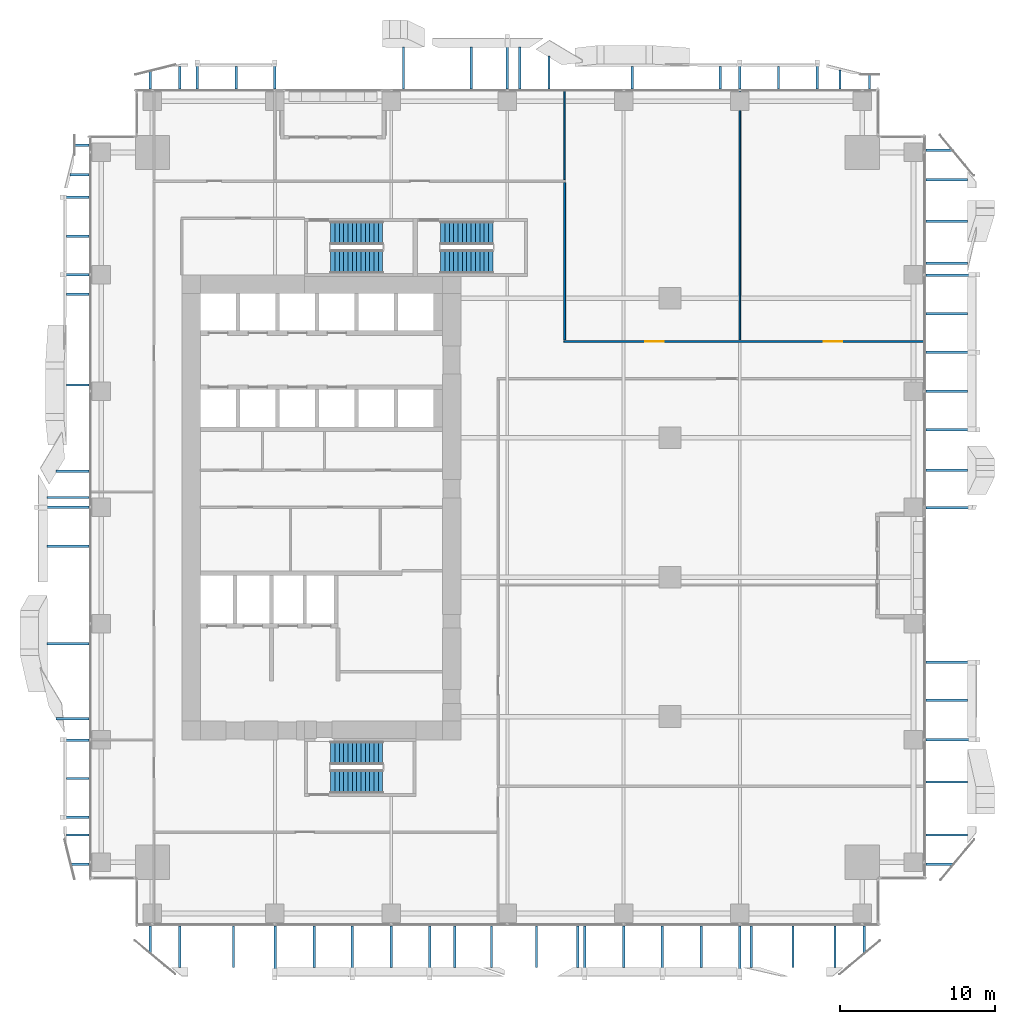
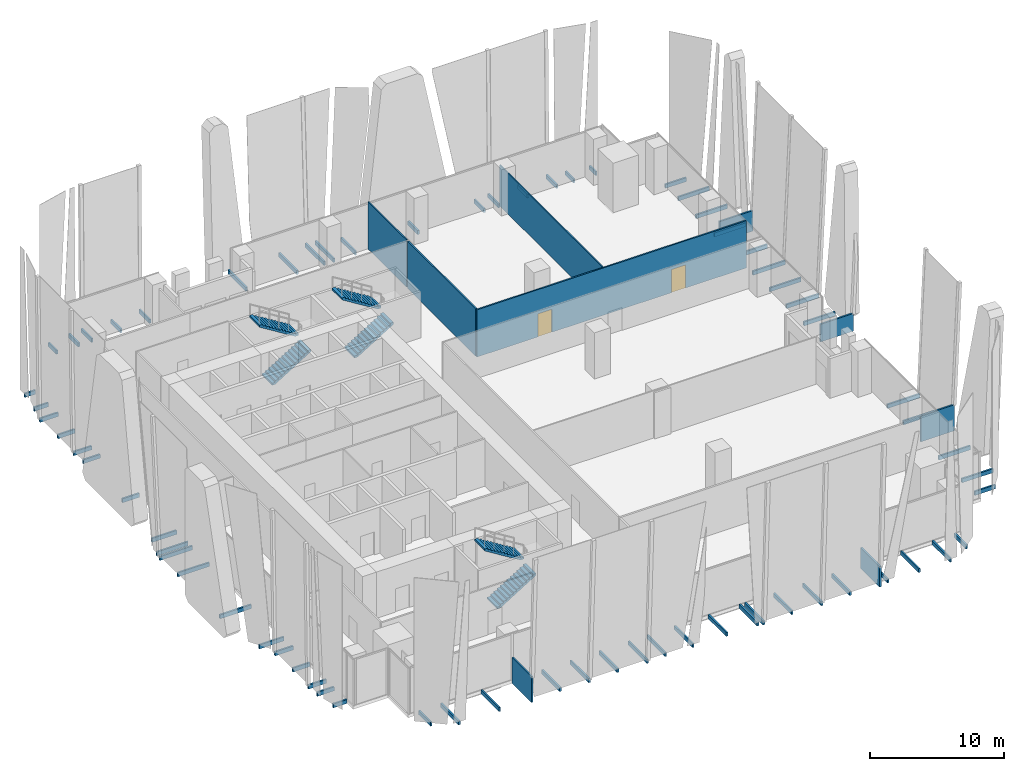
# One storey, part 29 of 34: 73 discrete accessories, 6 stair flights, 4 walls, 2 doors, 2 openings, 3 elements without a shape of their own.
"""IFC4 building model written with IfcOpenShell, lengths in metres."""

from ifc_helpers import new_model, si_unit, direction, frame, frame_2d, origin, origin_2d, place, context, subcontext, project, spatial, polyline, rectangle, outline, extrude, source, transform, mapped, material, layer, layer_set, type_object, element, fill, aggregate, save


model = new_model("IFC4")

# Units and contexts
model_context = context("Model", 3, precision=1e-05, world=origin(), true_north=direction((0.0, 1.0)))
body_context = subcontext(model_context, "Body", "Model", "MODEL_VIEW")
ifc_project = project(units=[si_unit("LENGTHUNIT", "METRE"), si_unit("AREAUNIT", "SQUARE_METRE"), si_unit("VOLUMEUNIT", "CUBIC_METRE"), si_unit("PLANEANGLEUNIT", "RADIAN"), si_unit("MASSUNIT", "GRAM", prefix="KILO")], contexts=[model_context])

# Site, building, storey
site_placement = place(None, origin())
site = spatial("IfcSite", under=ifc_project, at=site_placement, CompositionType="ELEMENT")
building_placement = place(site_placement, origin())
building = spatial("IfcBuilding", under=site, at=building_placement, Name="Khomas Fold Tower", CompositionType="ELEMENT")
storey_placement = place(building_placement, frame((0.0, 0.0, 73.5)))
storey = spatial("IfcBuildingStorey", under=building, at=storey_placement, Name="L15", CompositionType="ELEMENT", Elevation=73.5)

# Wall, openings, doors
ifc_material_1 = material(Name="Plasterboard partition")
ifc_layer_1 = layer(ifc_material_1, 0.125)
ifc_layer_set_1 = layer_set([ifc_layer_1], Name="Plasterboard partition")
wall_type_1 = type_object("IfcWallType", Name="Partition PW2 125", PredefinedType="PARTITIONING", material=ifc_layer_set_1)
shared_shape_1 = source(origin(), body_context, "Body", "SweptSolid", [
    extrude(rectangle(XDim=23.2001953125, YDim=0.125, at=frame_2d((11.60009765625, 0.0))), origin(), (0.0, 0.0, 1.0), 4.300048828125),
])
wall_1_placement = place(storey_placement, frame((30.64990234375, 37.699951171875, 0.0), z_axis=(0.0, 0.0, 1.0), x_axis=(1.0, 0.0, 0.0)))
wall_1 = element("IfcWall", 1, at=wall_1_placement, inside=storey, type_object=wall_type_1, Name="Partition", PredefinedType="PARTITIONING", context=body_context, shape_type="MappedRepresentation", body=[
    mapped(shared_shape_1, transform((0.0, 0.0, 0.0))),
])
shared_shape_2 = source(origin(), body_context, "Body", "SweptSolid", [
    extrude(rectangle(XDim=1.199951171875, YDim=2.10009765625, at=frame_2d((0.60009765625, 1.050048828125))), frame((0.0, 0.072509765625, 0.0), z_axis=(0.0, -1.0, 0.0), x_axis=(1.0, 0.0, 0.0)), (0.0, 0.0, 1.0), 0.14501953125),
])
opening_1_placement = place(wall_1_placement, frame((5.25, 0.0, 0.0)))
opening_1 = element("IfcOpeningElement", 2, at=opening_1_placement, cuts=wall_1, Name="Opening 0013", PredefinedType="OPENING", context=body_context, shape_type="MappedRepresentation", body=[
    mapped(shared_shape_2, transform((0.0, 0.0, 0.0))),
])
opening_2_placement = place(wall_1_placement, frame((16.75, 0.0, 0.0)))
opening_2 = element("IfcOpeningElement", 3, at=opening_2_placement, cuts=wall_1, Name="Opening 0001", PredefinedType="OPENING", context=body_context, shape_type="MappedRepresentation", body=[
    mapped(shared_shape_2, transform((0.0, 0.0, 0.0))),
])
ifc_material_2 = material(Name="Timber door leaf", Category="wood")
door_type_1 = type_object("IfcDoorType", Name="Door 1200x2100 left-hand", OperationType="SINGLE_SWING_LEFT", PredefinedType="DOOR", material=ifc_material_2)
shared_shape_3 = source(origin(), body_context, "Body", "SweptSolid", [
    extrude(rectangle(XDim=1.199951171875, YDim=2.10009765625, at=frame_2d((0.60009765625, 1.050048828125))), frame((0.0, 0.02490234375, 0.0), z_axis=(0.0, -1.0, 0.0), x_axis=(1.0, 0.0, 0.0)), (0.0, 0.0, 1.0), 0.050048828125),
])
door_1_placement = place(opening_1_placement, origin())
door_1 = element("IfcDoor", 4, at=door_1_placement, inside=storey, type_object=door_type_1, Name="Door", OperationType="SINGLE_SWING_LEFT", OverallHeight=2.10009765625, OverallWidth=1.199951171875, PredefinedType="DOOR", context=body_context, shape_type="MappedRepresentation", body=[
    mapped(shared_shape_3, transform((0.0, 0.0, 0.0))),
])
fill(opening_1, door_1)
ifc_material_3 = material(Name="Timber door leaf", Category="wood")
door_type_2 = type_object("IfcDoorType", Name="Door 1200x2100 right-hand", OperationType="SINGLE_SWING_RIGHT", PredefinedType="DOOR", material=ifc_material_3)
door_2_placement = place(opening_2_placement, origin())
door_2 = element("IfcDoor", 5, at=door_2_placement, inside=storey, type_object=door_type_2, Name="Door", OperationType="SINGLE_SWING_RIGHT", OverallHeight=2.10009765625, OverallWidth=1.199951171875, PredefinedType="DOOR", context=body_context, shape_type="MappedRepresentation", body=[
    mapped(shared_shape_3, transform((0.0, 0.0, 0.0))),
])
fill(opening_2, door_2)

# Walls
shared_shape_4 = source(origin(), body_context, "Body", "SweptSolid", [
    extrude(rectangle(XDim=10.14990234375, YDim=0.125, at=frame_2d((5.074951171875, 0.0))), origin(), (0.0, 0.0, 1.0), 4.300048828125),
])
wall_2_placement = place(storey_placement, frame((30.699951171875, 37.800048828125, 0.0), z_axis=(0.0, 0.0, 1.0), x_axis=(0.0, 1.0, 0.0)))
element("IfcWall", 6, at=wall_2_placement, inside=storey, type_object=wall_type_1, Name="Partition", PredefinedType="PARTITIONING", context=body_context, shape_type="MappedRepresentation", body=[
    mapped(shared_shape_4, transform((0.0, 0.0, 0.0))),
])
ifc_material_4 = material(Name="Plasterboard partition")
ifc_layer_2 = layer(ifc_material_4, 0.10009765625)
ifc_layer_set_2 = layer_set([ifc_layer_2], Name="Plasterboard partition")
wall_type_2 = type_object("IfcWallType", Name="Partition PW1 100", PredefinedType="PARTITIONING", material=ifc_layer_set_2)
shared_shape_5 = source(origin(), body_context, "Body", "SweptSolid", [
    extrude(rectangle(XDim=16.050048828125, YDim=0.10009765625, at=frame_2d((8.02490234375, 0.0))), origin(), (0.0, 0.0, 1.0), 3.699951171875),
])
wall_3_placement = place(storey_placement, frame((42.0, 37.800048828125, 0.0), z_axis=(0.0, 0.0, 1.0), x_axis=(0.0, 1.0, 0.0)))
element("IfcWall", 7, at=wall_3_placement, inside=storey, type_object=wall_type_2, Name="Partition", PredefinedType="PARTITIONING", context=body_context, shape_type="MappedRepresentation", body=[
    mapped(shared_shape_5, transform((0.0, 0.0, 0.0))),
])
shared_shape_6 = source(origin(), body_context, "Body", "SweptSolid", [
    extrude(rectangle(XDim=5.7001953125, YDim=0.10009765625, at=frame_2d((2.85009765625, 0.0))), origin(), (0.0, 0.0, 1.0), 4.300048828125),
])
wall_4_placement = place(storey_placement, frame((30.699951171875, 48.14990234375, 0.0), z_axis=(0.0, 0.0, 1.0), x_axis=(0.0, 1.0, 0.0)))
element("IfcWall", 8, at=wall_4_placement, inside=storey, type_object=wall_type_2, Name="Partition", PredefinedType="PARTITIONING", context=body_context, shape_type="MappedRepresentation", body=[
    mapped(shared_shape_6, transform((0.0, 0.0, 0.0))),
])

# Stair, stair flights
ifc_material_5 = material(Name="Concrete C40/50", Category="concrete")
stair_type_1 = type_object("IfcStairType", Name="Stair ST1", PredefinedType="HALF_TURN_STAIR", material=ifc_material_5)
stair_1_placement = place(storey_placement, origin())
stair_1 = element("IfcStair", 9, at=stair_1_placement, inside=storey, type_object=stair_type_1, Name="L15 ST1", PredefinedType="HALF_TURN_STAIR")
ifc_material_6 = material(Name="Concrete C40/50", Category="concrete")
stair_flight_type_1 = type_object("IfcStairFlightType", Name="Stair flight 1500 ST1", PredefinedType="STRAIGHT", material=ifc_material_6)
shared_shape_7 = source(origin(), body_context, "Body", "SweptSolid", [
    extrude(outline(polyline([(0.0, 0.0), (0.0, 0.013427734375), (0.0, 0.026611328125), (0.0, 0.0400390625), (0.0, 0.05322265625), (0.0, 0.066650390625), (0.0, 0.079833984375), (0.0, 0.09326171875), (0.0, 0.1064453125), (0.0, 0.119873046875), (0.0, 0.133056640625), (0.0, 0.146484375), (0.0, 0.15966796875), (0.0, 0.173095703125), (0.280029296875, 0.173095703125), (0.280029296875, 0.34619140625), (0.56005859375, 0.34619140625), (0.56005859375, 0.519287109375), (0.840087890625, 0.519287109375), (0.840087890625, 0.6923828125), (1.1201171875, 0.6923828125), (1.1201171875, 0.865478515625), (1.39990234375, 0.865478515625), (1.39990234375, 1.03857421875), (1.679931640625, 1.03857421875), (1.679931640625, 1.21142578125), (1.9599609375, 1.21142578125), (1.9599609375, 1.384521484375), (2.239990234375, 1.384521484375), (2.239990234375, 1.5576171875), (2.52001953125, 1.5576171875), (2.52001953125, 1.730712890625), (2.800048828125, 1.730712890625), (2.800048828125, 1.90380859375), (3.080078125, 1.90380859375), (3.080078125, 2.076904296875), (3.360107421875, 2.076904296875), (3.360107421875, 2.25), (3.360107421875, 2.22314453125), (3.360107421875, 2.1962890625), (3.360107421875, 2.16943359375), (3.360107421875, 2.142578125), (3.360107421875, 2.11572265625), (3.360107421875, 2.0888671875), (3.360107421875, 2.06201171875), (3.360107421875, 2.03515625), (3.360107421875, 2.008056640625), (3.360107421875, 1.981201171875), (3.360107421875, 1.954345703125), (3.360107421875, 1.927490234375), (3.360107421875, 1.900634765625), (0.28515625, 0.0), (0.0, 0.0)])), frame((0.0, 0.75, 0.0), z_axis=(0.0, -1.0, 0.0), x_axis=(1.0, 0.0, 0.0)), (0.0, 0.0, 1.0), 1.5),
])
stair_flight_1_placement = place(storey_placement, frame((15.60009765625, 42.85009765625, 0.0), z_axis=(0.0, 0.0, 1.0), x_axis=(1.0, 0.0, 0.0)))
stair_flight_1 = element("IfcStairFlight", 10, at=stair_flight_1_placement, type_object=stair_flight_type_1, Name="ST1 flight 1", NumberOfRisers=13, NumberOfTreads=12, PredefinedType="STRAIGHT", RiserHeight=0.173076923, TreadLength=0.28, context=body_context, shape_type="MappedRepresentation", body=[
    mapped(shared_shape_7, transform((0.0, 0.0, 0.0))),
])
stair_flight_2_placement = place(storey_placement, frame((18.9599609375, 44.699951171875, 2.25), z_axis=(0.0, 0.0, 1.0), x_axis=(-1.0, 0.0, 0.0)))
stair_flight_2 = element("IfcStairFlight", 11, at=stair_flight_2_placement, type_object=stair_flight_type_1, Name="ST1 flight 2", NumberOfRisers=13, NumberOfTreads=12, PredefinedType="STRAIGHT", RiserHeight=0.173076923, TreadLength=0.28, context=body_context, shape_type="MappedRepresentation", body=[
    mapped(shared_shape_7, transform((0.0, 0.0, 0.0))),
])
aggregate(stair_1, [stair_flight_1, stair_flight_2])

ifc_material_7 = material(Name="Concrete C40/50", Category="concrete")
stair_type_2 = type_object("IfcStairType", Name="Stair ST2", PredefinedType="HALF_TURN_STAIR", material=ifc_material_7)
stair_2_placement = place(storey_placement, origin())
stair_2 = element("IfcStair", 12, at=stair_2_placement, inside=storey, type_object=stair_type_2, Name="L15 ST2", PredefinedType="HALF_TURN_STAIR")
ifc_material_8 = material(Name="Concrete C40/50", Category="concrete")
stair_flight_type_2 = type_object("IfcStairFlightType", Name="Stair flight 1500 ST2", PredefinedType="STRAIGHT", material=ifc_material_8)
stair_flight_3_placement = place(storey_placement, frame((15.60009765625, 9.300048828125, 0.0), z_axis=(0.0, 0.0, 1.0), x_axis=(1.0, 0.0, 0.0)))
stair_flight_3 = element("IfcStairFlight", 13, at=stair_flight_3_placement, type_object=stair_flight_type_2, Name="ST2 flight 1", NumberOfRisers=13, NumberOfTreads=12, PredefinedType="STRAIGHT", RiserHeight=0.173076923, TreadLength=0.28, context=body_context, shape_type="MappedRepresentation", body=[
    mapped(shared_shape_7, transform((0.0, 0.0, 0.0))),
])
stair_flight_4_placement = place(storey_placement, frame((18.9599609375, 11.14990234375, 2.25), z_axis=(0.0, 0.0, 1.0), x_axis=(-1.0, 0.0, 0.0)))
stair_flight_4 = element("IfcStairFlight", 14, at=stair_flight_4_placement, type_object=stair_flight_type_2, Name="ST2 flight 2", NumberOfRisers=13, NumberOfTreads=12, PredefinedType="STRAIGHT", RiserHeight=0.173076923, TreadLength=0.28, context=body_context, shape_type="MappedRepresentation", body=[
    mapped(shared_shape_7, transform((0.0, 0.0, 0.0))),
])
aggregate(stair_2, [stair_flight_3, stair_flight_4])

ifc_material_9 = material(Name="Concrete C40/50", Category="concrete")
stair_type_3 = type_object("IfcStairType", Name="Stair ST3", PredefinedType="HALF_TURN_STAIR", material=ifc_material_9)
stair_3_placement = place(storey_placement, origin())
stair_3 = element("IfcStair", 15, at=stair_3_placement, inside=storey, type_object=stair_type_3, Name="L15 ST3", PredefinedType="HALF_TURN_STAIR")
ifc_material_10 = material(Name="Concrete C40/50", Category="concrete")
stair_flight_type_3 = type_object("IfcStairFlightType", Name="Stair flight 1500 ST3", PredefinedType="STRAIGHT", material=ifc_material_10)
stair_flight_5_placement = place(storey_placement, frame((22.699951171875, 42.85009765625, 0.0), z_axis=(0.0, 0.0, 1.0), x_axis=(1.0, 0.0, 0.0)))
stair_flight_5 = element("IfcStairFlight", 16, at=stair_flight_5_placement, type_object=stair_flight_type_3, Name="ST3 flight 1", NumberOfRisers=13, NumberOfTreads=12, PredefinedType="STRAIGHT", RiserHeight=0.173076923, TreadLength=0.28, context=body_context, shape_type="MappedRepresentation", body=[
    mapped(shared_shape_7, transform((0.0, 0.0, 0.0))),
])
stair_flight_6_placement = place(storey_placement, frame((26.06005859375, 44.699951171875, 2.25), z_axis=(0.0, 0.0, 1.0), x_axis=(-1.0, 0.0, 0.0)))
stair_flight_6 = element("IfcStairFlight", 17, at=stair_flight_6_placement, type_object=stair_flight_type_3, Name="ST3 flight 2", NumberOfRisers=13, NumberOfTreads=12, PredefinedType="STRAIGHT", RiserHeight=0.173076923, TreadLength=0.28, context=body_context, shape_type="MappedRepresentation", body=[
    mapped(shared_shape_7, transform((0.0, 0.0, 0.0))),
])
aggregate(stair_3, [stair_flight_5, stair_flight_6])

# Discrete accessories
ifc_material_11 = material(Name="Stainless steel", Category="steel")
discrete_accessory_type = type_object("IfcDiscreteAccessoryType", Name="SK-Stainless steel stone bracket", PredefinedType="BRACKET", material=ifc_material_11)
shared_shape_8 = source(origin(), body_context, "Body", "SweptSolid", [
    extrude(rectangle(XDim=2.699951171875, YDim=0.14990234375, at=origin_2d()), origin(), (0.0, 0.0, 1.0), 0.360107421875),
])
for number, where, z_axis, x_axis, name in (
    (18, (9.335693359375, -1.35009765625, -0.30029296875), (0.0, 0.0, 1.0), (0.0, -1.0, 0.0), "Stone bracket L15 SS03-1-2"),
    (19, (28.877685546875, -1.35009765625, -0.30029296875), (0.0, 0.0, 1.0), (0.0, -1.0, 0.0), "Stone bracket L15 SS06-2-2"),
    (20, (45.42919921875, -1.35009765625, -0.30029296875), (0.0, 0.0, 1.0), (0.0, -1.0, 0.0), "Stone bracket L15 SS09-3-2"),
    (21, (55.35009765625, 9.281005859375, -0.30029296875), (0.0, 0.0, 1.0), (1.0, 0.0, 0.0), "Stone bracket L15 ES03-1-1"),
    (22, (55.35009765625, 29.392822265625, -0.30029296875), (0.0, 0.0, 1.0), (1.0, 0.0, 0.0), "Stone bracket L15 ES06-2-1"),
    (23, (55.35009765625, 45.4677734375, -0.30029296875), (0.0, 0.0, 1.0), (1.0, 0.0, 0.0), "Stone bracket L15 ES09-3-1"),
    (24, (20.2998046875, 55.35009765625, -0.30029296875), (0.0, 0.0, 1.0), (0.0, 1.0, 0.0), "Stone bracket L15 NS05-1-1"),
    (25, (-1.35009765625, 18.20166015625, -0.30029296875), (0.0, 0.0, 1.0), (-1.0, 0.0, 0.0), "Stone bracket L15 WS05-1-1"),
    (26, (5.8642578125, -1.35009765625, -0.30029296875), (0.0, 0.0, 1.0), (0.0, -1.0, 0.0), "Stone bracket L15 SG098-1-1"),
    (27, (25.97265625, -1.35009765625, -0.30029296875), (0.0, 0.0, 1.0), (0.0, -1.0, 0.0), "Stone bracket L15 SG102-3-1"),
    (28, (14.55126953125, -1.35009765625, -0.30029296875), (0.0, 0.0, 1.0), (0.0, -1.0, 0.0), "Stone bracket L15 SG100-5-1"),
    (29, (19.5, -1.35009765625, -0.30029296875), (0.0, 0.0, 1.0), (0.0, -1.0, 0.0), "Stone bracket L15 SG101-7-1"),
    (30, (23.61572265625, -1.35009765625, -0.30029296875), (0.0, 0.0, 1.0), (0.0, -1.0, 0.0), "Stone bracket L15 SG102-9-1"),
    (31, (42.742919921875, -1.35009765625, -0.30029296875), (0.0, 0.0, 1.0), (0.0, -1.0, 0.0), "Stone bracket L15 SG106-10-1"),
    (32, (31.5478515625, -1.35009765625, -0.30029296875), (0.0, 0.0, 1.0), (0.0, -1.0, 0.0), "Stone bracket L15 SG103-11-1"),
    (33, (34.5, -1.35009765625, -0.30029296875), (0.0, 0.0, 1.0), (0.0, -1.0, 0.0), "Stone bracket L15 SG104-13-1"),
    (34, (39.5, -1.35009765625, -0.30029296875), (0.0, 0.0, 1.0), (0.0, -1.0, 0.0), "Stone bracket L15 SG105-15-1"),
    (35, (48.1357421875, -1.35009765625, -0.30029296875), (0.0, 0.0, 1.0), (0.0, -1.0, 0.0), "Stone bracket L15 SG107-17-1"),
    (36, (55.35009765625, 5.8642578125, -0.30029296875), (0.0, 0.0, 1.0), (1.0, 0.0, 0.0), "Stone bracket L15 EG098-1-1"),
    (37, (55.35009765625, 14.55126953125, -0.30029296875), (0.0, 0.0, 1.0), (1.0, 0.0, 0.0), "Stone bracket L15 EG100-5-1"),
    (38, (55.35009765625, 42.742919921875, -0.30029296875), (0.0, 0.0, 1.0), (1.0, 0.0, 0.0), "Stone bracket L15 EG106-7-1"),
    (39, (55.35009765625, 34.5, -0.30029296875), (0.0, 0.0, 1.0), (1.0, 0.0, 0.0), "Stone bracket L15 EG104-9-1"),
    (40, (55.35009765625, 39.5, -0.30029296875), (0.0, 0.0, 1.0), (1.0, 0.0, 0.0), "Stone bracket L15 EG105-11-1"),
    (41, (55.35009765625, 48.1357421875, -0.30029296875), (0.0, 0.0, 1.0), (1.0, 0.0, 0.0), "Stone bracket L15 EG107-13-1"),
    (42, (24.662841796875, 55.35009765625, -0.30029296875), (0.0, 0.0, 1.0), (0.0, 1.0, 0.0), "Stone bracket L15 NG102-6-1"),
    (43, (27.8095703125, 55.35009765625, -0.30029296875), (0.0, 0.0, 1.0), (0.0, 1.0, 0.0), "Stone bracket L15 NG103-8-1"),
    (44, (-1.35009765625, 24.5, -0.30029296875), (0.0, 0.0, 1.0), (-1.0, 0.0, 0.0), "Stone bracket L15 WG102-7-1"),
    (45, (-1.35009765625, 27.634521484375, -0.30029296875), (0.0, 0.0, 1.0), (-1.0, 0.0, 0.0), "Stone bracket L15 WG103-9-1"),
):
    element("IfcDiscreteAccessory", number, at=place(storey_placement, frame(where, z_axis=z_axis, x_axis=x_axis)), inside=storey, type_object=discrete_accessory_type, Name=name, PredefinedType="BRACKET", context=body_context, shape_type="MappedRepresentation", body=[
        mapped(shared_shape_8, transform((0.0, 0.0, 0.0))),
    ])
shared_shape_9 = source(origin(), body_context, "Body", "SweptSolid", [
    extrude(rectangle(XDim=1.45751953125, YDim=0.14990234375, at=origin_2d()), origin(), (0.0, 0.0, 1.0), 0.360107421875),
])
for number, where, z_axis, x_axis, name in (
    (46, (35.065673828125, 54.728759765625, -0.30029296875), (0.0, 0.0, 1.0), (0.0, 1.0, 0.0), "Stone bracket L15 NS08-2-1"),
    (47, (-0.728759765625, 34.894287109375, -0.30029296875), (0.0, 0.0, 1.0), (-1.0, 0.0, 0.0), "Stone bracket L15 WS08-2-1"),
    (48, (5.8642578125, 54.728759765625, -0.30029296875), (0.0, 0.0, 1.0), (0.0, 1.0, 0.0), "Stone bracket L15 NG098-1-1"),
    (49, (9.5, 54.728759765625, -0.30029296875), (0.0, 0.0, 1.0), (0.0, 1.0, 0.0), "Stone bracket L15 NG099-4-1"),
    (50, (40.744873046875, 54.728759765625, -0.30029296875), (0.0, 0.0, 1.0), (0.0, 1.0, 0.0), "Stone bracket L15 NG105-10-1"),
    (51, (44.5, 54.728759765625, -0.30029296875), (0.0, 0.0, 1.0), (0.0, 1.0, 0.0), "Stone bracket L15 NG106-12-1"),
    (52, (-0.728759765625, 5.8642578125, -0.30029296875), (0.0, 0.0, 1.0), (-1.0, 0.0, 0.0), "Stone bracket L15 WG098-1-1"),
    (53, (-0.728759765625, 9.5, -0.30029296875), (0.0, 0.0, 1.0), (-1.0, 0.0, 0.0), "Stone bracket L15 WG099-4-1"),
    (54, (-0.728759765625, 40.744873046875, -0.30029296875), (0.0, 0.0, 1.0), (-1.0, 0.0, 0.0), "Stone bracket L15 WG105-11-1"),
    (55, (-0.728759765625, 44.5, -0.30029296875), (0.0, 0.0, 1.0), (-1.0, 0.0, 0.0), "Stone bracket L15 WG106-13-1"),
):
    element("IfcDiscreteAccessory", number, at=place(storey_placement, frame(where, z_axis=z_axis, x_axis=x_axis)), inside=storey, type_object=discrete_accessory_type, Name=name, PredefinedType="BRACKET", context=body_context, shape_type="MappedRepresentation", body=[
        mapped(shared_shape_9, transform((0.0, 0.0, 0.0))),
    ])
shared_shape_10 = source(origin(), body_context, "Body", "SweptSolid", [
    extrude(rectangle(XDim=0.925048828125, YDim=0.14990234375, at=origin_2d()), origin(), (0.0, 0.0, 1.0), 0.360107421875),
])
for number, where, z_axis, x_axis, name in (
    (56, (50.3642578125, 54.46240234375, -0.30029296875), (0.0, 0.0, 1.0), (0.0, 1.0, 0.0), "Stone bracket L15 NG107-14-1"),
    (57, (-0.46240234375, 50.3642578125, -0.30029296875), (0.0, 0.0, 1.0), (-1.0, 0.0, 0.0), "Stone bracket L15 WG107-15-1"),
):
    element("IfcDiscreteAccessory", number, at=place(storey_placement, frame(where, z_axis=z_axis, x_axis=x_axis)), inside=storey, type_object=discrete_accessory_type, Name=name, PredefinedType="BRACKET", context=body_context, shape_type="MappedRepresentation", body=[
        mapped(shared_shape_10, transform((0.0, 0.0, 0.0))),
    ])
shared_shape_11 = source(origin(), body_context, "Body", "SweptSolid", [
    extrude(rectangle(XDim=1.79248046875, YDim=0.14990234375, at=origin_2d()), origin(), (0.0, 0.0, 1.0), 0.360107421875),
])
for number, where, z_axis, x_axis, name in (
    (58, (3.9658203125, -0.896240234375, -0.30029296875), (0.0, 0.0, 1.0), (0.0, -1.0, 0.0), "Stone bracket L15 SG098-2-1"),
    (59, (50.0341796875, -0.896240234375, -0.30029296875), (0.0, 0.0, 1.0), (0.0, -1.0, 0.0), "Stone bracket L15 SG107-18-1"),
    (60, (54.896240234375, 3.9658203125, -0.30029296875), (0.0, 0.0, 1.0), (1.0, 0.0, 0.0), "Stone bracket L15 EG098-2-1"),
    (61, (54.896240234375, 50.0341796875, -0.30029296875), (0.0, 0.0, 1.0), (1.0, 0.0, 0.0), "Stone bracket L15 EG107-14-1"),
):
    element("IfcDiscreteAccessory", number, at=place(storey_placement, frame(where, z_axis=z_axis, x_axis=x_axis)), inside=storey, type_object=discrete_accessory_type, Name=name, PredefinedType="BRACKET", context=body_context, shape_type="MappedRepresentation", body=[
        mapped(shared_shape_11, transform((0.0, 0.0, 0.0))),
    ])
shared_shape_12 = source(origin(), body_context, "Body", "SweptSolid", [
    extrude(rectangle(XDim=2.882568359375, YDim=0.14990234375, at=origin_2d()), origin(), (0.0, 0.0, 1.0), 2.360107421875),
])
for number, where, z_axis, x_axis, name in (
    (62, (12.015625, -1.44140625, -0.30029296875), (0.0, 0.0, 1.0), (0.0, -1.0, 0.0), "Stone bracket L15 SM100-4-1"),
    (63, (55.44140625, 12.015625, -0.30029296875), (0.0, 0.0, 1.0), (1.0, 0.0, 0.0), "Stone bracket L15 EM100-4-1"),
):
    element("IfcDiscreteAccessory", number, at=place(storey_placement, frame(where, z_axis=z_axis, x_axis=x_axis)), inside=storey, type_object=discrete_accessory_type, Name=name, PredefinedType="BRACKET", context=body_context, shape_type="MappedRepresentation", body=[
        mapped(shared_shape_12, transform((0.0, 0.0, 0.0))),
    ])
shared_shape_13 = source(origin(), body_context, "Body", "SweptSolid", [
    extrude(rectangle(XDim=2.794921875, YDim=0.14990234375, at=origin_2d()), origin(), (0.0, 0.0, 1.0), 0.360107421875),
])
for number, where, z_axis, x_axis, name in (
    (64, (17.0, -1.3974609375, -0.30029296875), (0.0, 0.0, 1.0), (0.0, -1.0, 0.0), "Stone bracket L15 SM101-6-1"),
    (65, (22.0, -1.3974609375, -0.30029296875), (0.0, 0.0, 1.0), (0.0, -1.0, 0.0), "Stone bracket L15 SM102-8-1"),
    (66, (32.0, -1.3974609375, -0.30029296875), (0.0, 0.0, 1.0), (0.0, -1.0, 0.0), "Stone bracket L15 SM104-12-1"),
    (67, (37.0, -1.3974609375, -0.30029296875), (0.0, 0.0, 1.0), (0.0, -1.0, 0.0), "Stone bracket L15 SM105-14-1"),
    (68, (55.3974609375, 17.0, -0.30029296875), (0.0, 0.0, 1.0), (1.0, 0.0, 0.0), "Stone bracket L15 EM101-6-1"),
    (69, (55.3974609375, 32.0, -0.30029296875), (0.0, 0.0, 1.0), (1.0, 0.0, 0.0), "Stone bracket L15 EM104-8-1"),
    (70, (55.3974609375, 37.0, -0.30029296875), (0.0, 0.0, 1.0), (1.0, 0.0, 0.0), "Stone bracket L15 EM105-10-1"),
    (71, (27.0, 55.3974609375, -0.30029296875), (0.0, 0.0, 1.0), (0.0, 1.0, 0.0), "Stone bracket L15 NM103-7-1"),
    (72, (-1.3974609375, 27.0, -0.30029296875), (0.0, 0.0, 1.0), (-1.0, 0.0, 0.0), "Stone bracket L15 WM103-8-1"),
):
    element("IfcDiscreteAccessory", number, at=place(storey_placement, frame(where, z_axis=z_axis, x_axis=x_axis)), inside=storey, type_object=discrete_accessory_type, Name=name, PredefinedType="BRACKET", context=body_context, shape_type="MappedRepresentation", body=[
        mapped(shared_shape_13, transform((0.0, 0.0, 0.0))),
    ])
shared_shape_14 = source(origin(), body_context, "Body", "SweptSolid", [
    extrude(rectangle(XDim=2.86083984375, YDim=0.14990234375, at=origin_2d()), origin(), (0.0, 0.0, 1.0), 1.860107421875),
])
for number, where, z_axis, x_axis, name in (
    (73, (41.98486328125, -1.430419921875, -0.30029296875), (0.0, 0.0, 1.0), (0.0, -1.0, 0.0), "Stone bracket L15 SM106-16-1"),
    (74, (55.430419921875, 41.98486328125, -0.30029296875), (0.0, 0.0, 1.0), (1.0, 0.0, 0.0), "Stone bracket L15 EM106-12-1"),
):
    element("IfcDiscreteAccessory", number, at=place(storey_placement, frame(where, z_axis=z_axis, x_axis=x_axis)), inside=storey, type_object=discrete_accessory_type, Name=name, PredefinedType="BRACKET", context=body_context, shape_type="MappedRepresentation", body=[
        mapped(shared_shape_14, transform((0.0, 0.0, 0.0))),
    ])
shared_shape_15 = source(origin(), body_context, "Body", "SweptSolid", [
    extrude(rectangle(XDim=2.849853515625, YDim=0.14990234375, at=origin_2d()), origin(), (0.0, 0.0, 1.0), 1.610107421875),
])
discrete_accessory_1_placement = place(storey_placement, frame((55.4248046875, 26.980712890625, -0.30029296875), z_axis=(0.0, 0.0, 1.0), x_axis=(1.0, 0.0, 0.0)))
element("IfcDiscreteAccessory", 75, at=discrete_accessory_1_placement, inside=storey, type_object=discrete_accessory_type, Name="Stone bracket L15 EM103-3-1", PredefinedType="BRACKET", context=body_context, shape_type="MappedRepresentation", body=[
    mapped(shared_shape_15, transform((0.0, 0.0, 0.0))),
])
shared_shape_16 = source(origin(), body_context, "Body", "SweptSolid", [
    extrude(rectangle(XDim=1.185302734375, YDim=0.14990234375, at=origin_2d()), origin(), (0.0, 0.0, 1.0), 0.360107421875),
])
for number, where, z_axis, x_axis, name in (
    (76, (3.9658203125, 54.592529296875, -0.30029296875), (0.0, 0.0, 1.0), (0.0, 1.0, 0.0), "Stone bracket L15 NG098-2-1"),
    (77, (-0.592529296875, 3.9658203125, -0.30029296875), (0.0, 0.0, 1.0), (-1.0, 0.0, 0.0), "Stone bracket L15 WG098-2-1"),
):
    element("IfcDiscreteAccessory", number, at=place(storey_placement, frame(where, z_axis=z_axis, x_axis=x_axis)), inside=storey, type_object=discrete_accessory_type, Name=name, PredefinedType="BRACKET", context=body_context, shape_type="MappedRepresentation", body=[
        mapped(shared_shape_16, transform((0.0, 0.0, 0.0))),
    ])
shared_shape_17 = source(origin(), body_context, "Body", "SweptSolid", [
    extrude(rectangle(XDim=1.552490234375, YDim=0.14990234375, at=origin_2d()), origin(), (0.0, 0.0, 1.0), 0.360107421875),
])
for number, where, z_axis, x_axis, name in (
    (78, (7.0, 54.7763671875, -0.30029296875), (0.0, 0.0, 1.0), (0.0, 1.0, 0.0), "Stone bracket L15 NM099-3-1"),
    (79, (11.98388671875, 54.7763671875, -0.30029296875), (0.0, 0.0, 1.0), (0.0, 1.0, 0.0), "Stone bracket L15 NM100-5-1"),
    (80, (42.0, 54.7763671875, -0.30029296875), (0.0, 0.0, 1.0), (0.0, 1.0, 0.0), "Stone bracket L15 NM106-11-1"),
    (81, (47.0, 54.7763671875, -0.30029296875), (0.0, 0.0, 1.0), (0.0, 1.0, 0.0), "Stone bracket L15 NM107-13-1"),
    (82, (-0.7763671875, 7.0, -0.30029296875), (0.0, 0.0, 1.0), (-1.0, 0.0, 0.0), "Stone bracket L15 WM099-3-1"),
    (83, (-0.7763671875, 11.98388671875, -0.30029296875), (0.0, 0.0, 1.0), (-1.0, 0.0, 0.0), "Stone bracket L15 WM100-5-1"),
    (84, (-0.7763671875, 42.0, -0.30029296875), (0.0, 0.0, 1.0), (-1.0, 0.0, 0.0), "Stone bracket L15 WM106-12-1"),
    (85, (-0.7763671875, 47.0, -0.30029296875), (0.0, 0.0, 1.0), (-1.0, 0.0, 0.0), "Stone bracket L15 WM107-14-1"),
):
    element("IfcDiscreteAccessory", number, at=place(storey_placement, frame(where, z_axis=z_axis, x_axis=x_axis)), inside=storey, type_object=discrete_accessory_type, Name=name, PredefinedType="BRACKET", context=body_context, shape_type="MappedRepresentation", body=[
        mapped(shared_shape_17, transform((0.0, 0.0, 0.0))),
    ])
shared_shape_18 = source(origin(), body_context, "Body", "SweptSolid", [
    extrude(rectangle(XDim=2.123291015625, YDim=0.14990234375, at=origin_2d()), origin(), (0.0, 0.0, 1.0), 0.360107421875),
])
for number, where, z_axis, x_axis, name in (
    (86, (29.683349609375, 55.0615234375, -0.30029296875), (0.0, 0.0, 1.0), (0.0, 1.0, 0.0), "Stone bracket L15 NG103-9-1"),
    (87, (-1.0615234375, 29.3330078125, -0.30029296875), (0.0, 0.0, 1.0), (-1.0, 0.0, 0.0), "Stone bracket L15 WG103-10-1"),
):
    element("IfcDiscreteAccessory", number, at=place(storey_placement, frame(where, z_axis=z_axis, x_axis=x_axis)), inside=storey, type_object=discrete_accessory_type, Name=name, PredefinedType="BRACKET", context=body_context, shape_type="MappedRepresentation", body=[
        mapped(shared_shape_18, transform((0.0, 0.0, 0.0))),
    ])
shared_shape_19 = source(origin(), body_context, "Body", "SweptSolid", [
    extrude(rectangle(XDim=1.209716796875, YDim=0.14990234375, at=origin_2d()), origin(), (0.0, 0.0, 1.0), 0.360107421875),
])
for number, where, z_axis, x_axis, name in (
    (88, (48.4658203125, 54.60498046875, -0.30029296875), (0.0, 0.0, 1.0), (0.0, 1.0, 0.0), "Stone bracket L15 NG107-15-1"),
    (89, (-0.60498046875, 48.4658203125, -0.30029296875), (0.0, 0.0, 1.0), (-1.0, 0.0, 0.0), "Stone bracket L15 WG107-16-1"),
):
    element("IfcDiscreteAccessory", number, at=place(storey_placement, frame(where, z_axis=z_axis, x_axis=x_axis)), inside=storey, type_object=discrete_accessory_type, Name=name, PredefinedType="BRACKET", context=body_context, shape_type="MappedRepresentation", body=[
        mapped(shared_shape_19, transform((0.0, 0.0, 0.0))),
    ])
shared_shape_20 = source(origin(), body_context, "Body", "SweptSolid", [
    extrude(rectangle(XDim=2.124267578125, YDim=0.14990234375, at=origin_2d()), origin(), (0.0, 0.0, 1.0), 0.360107421875),
])
discrete_accessory_2_placement = place(storey_placement, frame((-1.062255859375, 13.350341796875, -0.30029296875), z_axis=(0.0, 0.0, 1.0), x_axis=(-1.0, 0.0, 0.0)))
element("IfcDiscreteAccessory", 90, at=discrete_accessory_2_placement, inside=storey, type_object=discrete_accessory_type, Name="Stone bracket L15 WG100-6-1", PredefinedType="BRACKET", context=body_context, shape_type="MappedRepresentation", body=[
    mapped(shared_shape_20, transform((0.0, 0.0, 0.0))),
])

save(model, "model.ifc")
